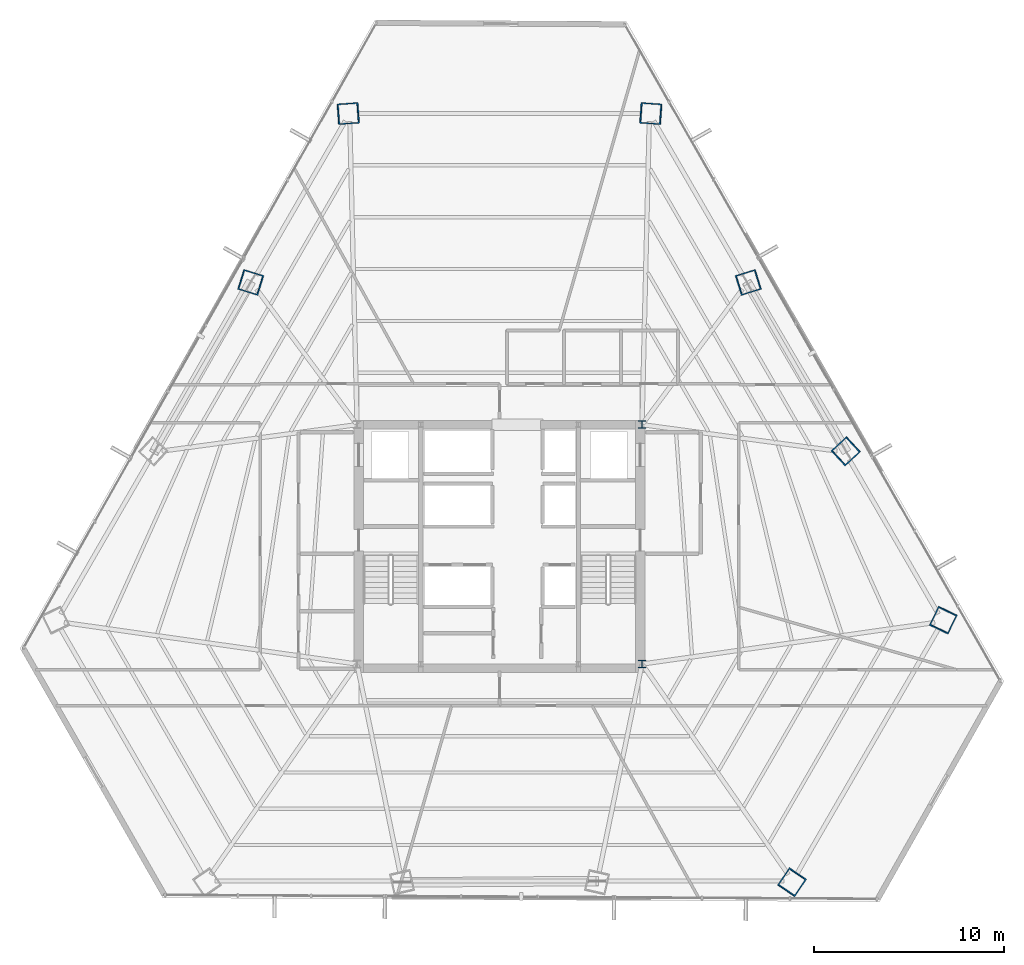
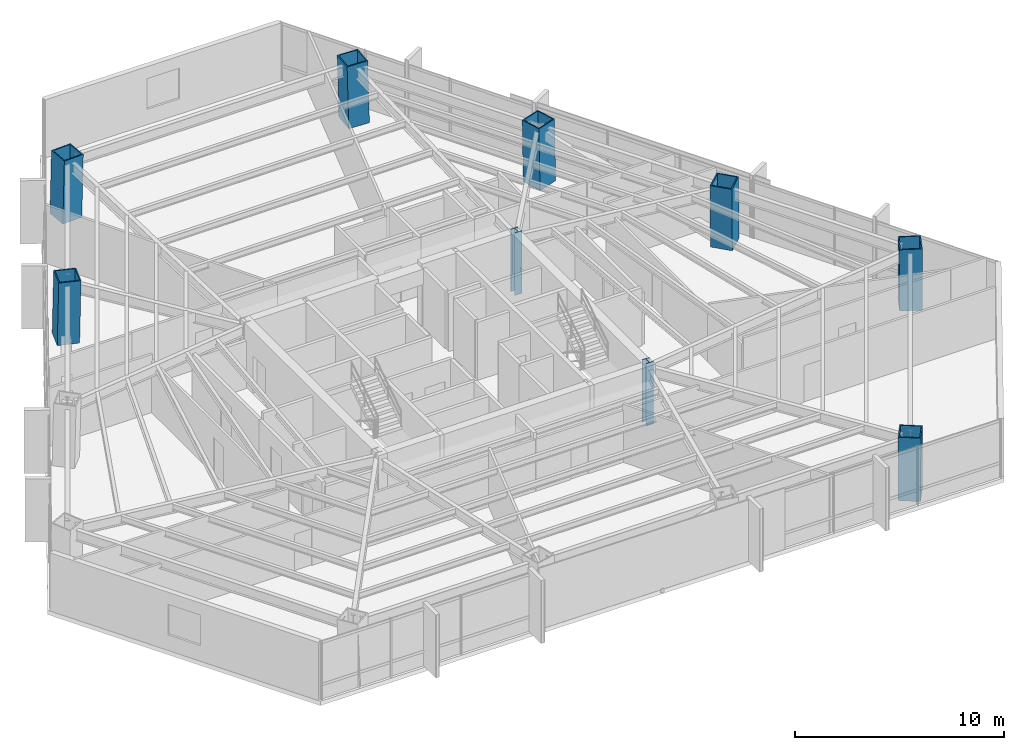
# One storey, part 3 of 36: 9 columns.
"""IFC4 building model written with IfcOpenShell, lengths in metres."""

from ifc_helpers import new_model, si_unit, direction, frame, origin, origin_2d, place, context, subcontext, project, spatial, hollow_rectangle, i_section, extrude, source, transform, mapped, material, material_profile, profile_set, type_object, type_shapes, element, save


model = new_model("IFC4")

# Units and contexts
model_context = context("Model", 3, precision=1e-05, world=origin(), true_north=direction((0.0, 1.0)))
body_context = subcontext(model_context, "Body", "Model", "MODEL_VIEW")
ifc_project = project(units=[si_unit("LENGTHUNIT", "METRE"), si_unit("AREAUNIT", "SQUARE_METRE"), si_unit("VOLUMEUNIT", "CUBIC_METRE"), si_unit("PLANEANGLEUNIT", "RADIAN"), si_unit("MASSUNIT", "GRAM", prefix="KILO")], contexts=[model_context])

# Site, building, storey
site_placement = place(None, origin())
site = spatial("IfcSite", under=ifc_project, at=site_placement, CompositionType="ELEMENT")
building_placement = place(site_placement, origin())
building = spatial("IfcBuilding", under=site, at=building_placement, Name="Caelisora Broadcast Tower", CompositionType="ELEMENT")
storey_placement = place(building_placement, frame((0.0, 0.0, 83.5)))
storey = spatial("IfcBuildingStorey", under=building, at=storey_placement, Name="L21", CompositionType="ELEMENT", Elevation=83.5)

# Columns
ifc_material_1 = material(Name="Steel Grade 350 (AS/NZS 3679.2)", Category="steel")
ifc_material_profile_1 = material_profile(ifc_material_1, i_section(OverallWidth=0.39990234375, OverallDepth=0.39990234375, WebThickness=0.02001953125, FlangeThickness=0.031982421875, at=origin_2d()), Name="Steel Grade 350 (AS/NZS 3679.2)")
ifc_profile_set_1 = profile_set([ifc_material_profile_1], Name="Steel Grade 350 (AS/NZS 3679.2)")
column_type_1 = type_object("IfcColumnType", Name="CC02", PredefinedType="COLUMN", material=ifc_profile_set_1)
shared_shape_1 = source(origin(), body_context, "Body", "SweptSolid", [
    extrude(i_section(OverallWidth=0.39990234375, OverallDepth=0.39990234375, WebThickness=0.02001953125, FlangeThickness=0.031982421875, at=origin_2d()), origin(), (0.0, 0.0, 1.0), 3.64990234375),
])
type_shapes(column_type_1, [shared_shape_1])
for number, where, z_axis, x_axis, name in (
    (1, (45.5, 17.39990234375, 0.0), (0.0, 0.0, 1.0), (1.0, 0.0, 0.0), "L21 column CC02"),
    (2, (45.5, 30.0, 0.0), (0.0, 0.0, 1.0), (1.0, 0.0, 0.0), "L21 column CC02"),
):
    element("IfcColumn", number, at=place(storey_placement, frame(where, z_axis=z_axis, x_axis=x_axis)), inside=storey, type_object=column_type_1, Name=name, PredefinedType="COLUMN", context=body_context, shape_type="MappedRepresentation", body=[
        mapped(shared_shape_1, transform((0.0, 0.0, 0.0), scale=1.0)),
    ])
ifc_material_2 = material(Name="Steel Grade 350 L15 (AS/NZS 3678)", Category="steel")
ifc_material_profile_2 = material_profile(ifc_material_2, hollow_rectangle(XDim=1.10009765625, YDim=1.10009765625, WallThickness=0.06005859375, at=origin_2d()), Name="Steel Grade 350 L15 (AS/NZS 3678)")
ifc_profile_set_2 = profile_set([ifc_material_profile_2], Name="Steel Grade 350 L15 (AS/NZS 3678)")
column_type_2 = type_object("IfcColumnType", Name="MC03", PredefinedType="COLUMN", material=ifc_profile_set_2)
shared_shape_2 = source(origin(), body_context, "Body", "SweptSolid", [
    extrude(hollow_rectangle(XDim=1.10009765625, YDim=1.10009765625, WallThickness=0.06005859375, at=origin_2d()), origin(), (0.0, 0.0, 1.0), 3.65087890625),
])
for number, where, z_axis, x_axis, name in (
    (3, (45.976318359375, 46.370361328125, 0.0), (-0.023939589194, 0.001738629383, 0.999711895116), (-0.072434920849, -0.997373140926, 0.0), "L21 column MC03"),
    (4, (30.023681640625, 46.370361328125, 0.0), (0.023939589194, 0.001738629383, 0.999711895116), (-0.072434920849, 0.997373140926, 0.0), "L21 column MC03"),
    (5, (53.38525390625, 5.9072265625, 0.0), (0.013440967269, 0.019793663242, 0.999713734673), (-0.827290216258, 0.561774775229, 0.0), "L21 column MC03"),
    (6, (61.361328125, 19.722412109375, 0.0), (-0.010364932146, -0.021532310652, 0.999714423113), (0.901042175273, -0.433731481886, 0.0), "L21 column MC03"),
):
    element("IfcColumn", number, at=place(storey_placement, frame(where, z_axis=z_axis, x_axis=x_axis)), inside=storey, type_object=column_type_2, Name=name, PredefinedType="COLUMN", context=body_context, shape_type="MappedRepresentation", body=[
        mapped(shared_shape_2, transform((0.0, 0.0, 0.0), scale=1.0)),
    ])
shared_shape_3 = source(origin(), body_context, "Body", "SweptSolid", [
    extrude(hollow_rectangle(XDim=1.10009765625, YDim=1.10009765625, WallThickness=0.06005859375, at=origin_2d()), origin(), (0.0, 0.0, 1.0), 3.650634765625),
])
type_shapes(column_type_2, [shared_shape_2, shared_shape_3])
for number, where, z_axis, x_axis, name in (
    (7, (24.8955078125, 37.48779296875, 0.0), (0.019393993486, -0.006018825565, 0.999793802119), (0.296399214872, 0.955064136811, 0.0), "L21 column MC03"),
    (8, (56.23291015625, 28.60498046875, 0.0), (-0.014846452328, -0.013776437746, 0.99979487527), (0.68019775991, -0.733028653883, 0.0), "L21 column MC03"),
    (9, (51.1044921875, 37.48779296875, 0.0), (-0.019393993486, -0.006018825565, 0.999793802119), (0.296399214872, -0.955064136811, 0.0), "L21 column MC03"),
):
    element("IfcColumn", number, at=place(storey_placement, frame(where, z_axis=z_axis, x_axis=x_axis)), inside=storey, type_object=column_type_2, Name=name, PredefinedType="COLUMN", context=body_context, shape_type="MappedRepresentation", body=[
        mapped(shared_shape_3, transform((0.0, 0.0, 0.0), scale=1.0)),
    ])

save(model, "model.ifc")
